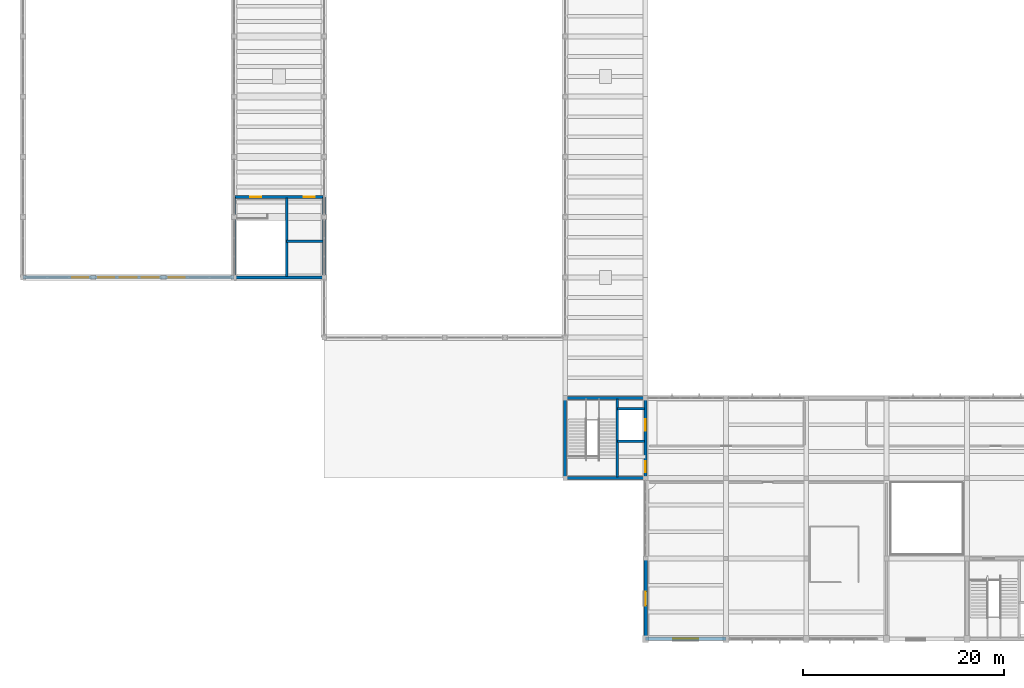
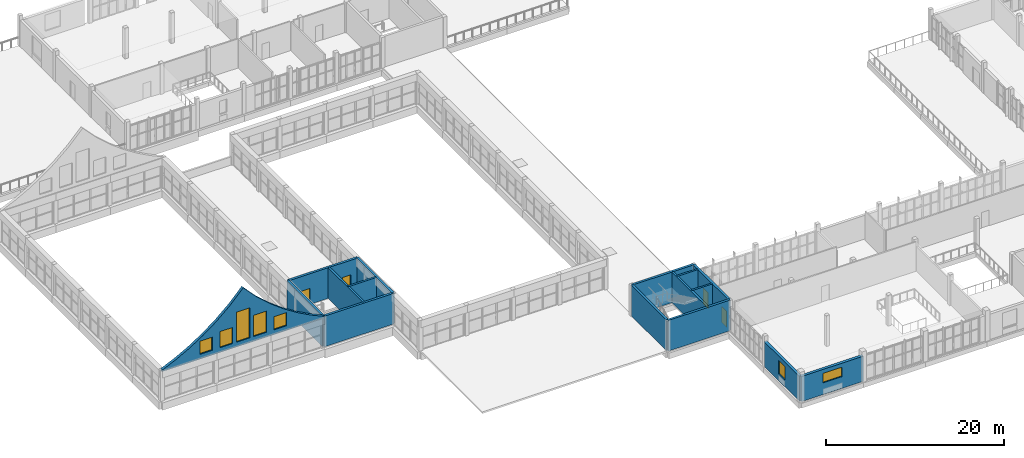
# One storey, part 52 of 70: 16 walls, 7 windows, 4 doors, 11 openings.
"""IFC4 building model written with IfcOpenShell, lengths in metres."""

import ifcopenshell
import ifcopenshell.guid

model = None  # the IFC model being written
_history = None  # IfcOwnerHistory: only IFC2X3 demands one
_inside = {}  # id of a spatial element -> (the spatial element, [elements in it])
_under = {}  # id of a project, library or spatial element -> (it, [spatial elements below it])
_declared = {}  # id of a project -> (the project, [libraries it declares])
_typed = {}  # id of a type object -> (the type object, [elements of that type])
_made_of = {}  # id of a material, layer set ... -> (it, [elements and type objects made of it])


def new_model(schema):
    """Start an empty IFC model of exactly this schema.

    Asked for "IFC4X3", IfcOpenShell would pick the latest addendum, in which some entities
    have other attributes; the version numbers below select the first issue.
    IFC2X3 requires an IfcOwnerHistory on every rooted entity: one is made here for all.
    """
    global model, _history
    if schema == "IFC4X3":
        model = ifcopenshell.file(schema_version=(4, 3, 0, 0))
    else:
        model = ifcopenshell.file(schema=schema)
    _inside.clear()
    _under.clear()
    _declared.clear()
    _typed.clear()
    _made_of.clear()
    _history = None
    if model.schema == "IFC2X3":
        org = make("IfcOrganization", Name="unknown")
        user = make(
            "IfcPersonAndOrganization",
            ThePerson=make("IfcPerson", FamilyName="unknown"),
            TheOrganization=org,
        )
        app = make(
            "IfcApplication",
            ApplicationDeveloper=org,
            Version="unknown",
            ApplicationFullName="unknown",
            ApplicationIdentifier="unknown",
        )
        _history = make(
            "IfcOwnerHistory",
            OwningUser=user,
            OwningApplication=app,
            ChangeAction="ADDED",
            CreationDate=0,
        )
    return model


def make(cls, **values):
    """One entity of the class cls with the attributes given. An attribute that is None is left unset."""
    return model.create_entity(
        cls, **{name: value for name, value in values.items() if value is not None}
    )


def rooted(cls, **values):
    """An entity with a GlobalId (a new one), such as an element, a storey or a relation."""
    return make(cls, GlobalId=ifcopenshell.guid.new(), OwnerHistory=_history, **values)


def si_unit(unit_type, name, prefix=None):
    """IfcSIUnit, for example si_unit("LENGTHUNIT", "METRE", prefix="MILLI")."""
    return make("IfcSIUnit", UnitType=unit_type, Prefix=prefix, Name=name)


def assignment(units):
    """IfcUnitAssignment: the units of a project."""
    return None if units is None else make("IfcUnitAssignment", Units=units)


def point(xyz):
    """IfcCartesianPoint."""
    return None if xyz is None else make("IfcCartesianPoint", Coordinates=xyz)


def direction(xyz):
    """IfcDirection."""
    return None if xyz is None else make("IfcDirection", DirectionRatios=xyz)


def frame(location, z_axis=None, x_axis=None):
    """IfcAxis2Placement3D, a coordinate frame: its origin and axes. An axis left out is left unset."""
    return make(
        "IfcAxis2Placement3D",
        Location=point(location),
        Axis=direction(z_axis),
        RefDirection=direction(x_axis),
    )


def frame_2d(location, x_axis=None):
    """IfcAxis2Placement2D, a coordinate frame in the plane: its origin and x axis."""
    return make(
        "IfcAxis2Placement2D", Location=point(location), RefDirection=direction(x_axis)
    )


def origin():
    """The frame at (0, 0, 0) with its axes left unset."""
    return frame((0.0, 0.0, 0.0))


def place(relative_to, where):
    """IfcLocalPlacement: puts the frame where relative to a parent placement (None: the world)."""
    return make(
        "IfcLocalPlacement", PlacementRelTo=relative_to, RelativePlacement=where
    )


def context(
    kind, dimensions, precision=None, world=None, true_north=None, identifier=None
):
    """IfcGeometricRepresentationContext, for example the 3D "Model" context."""
    return make(
        "IfcGeometricRepresentationContext",
        ContextIdentifier=identifier,
        ContextType=kind,
        CoordinateSpaceDimension=dimensions,
        Precision=precision,
        WorldCoordinateSystem=world,
        TrueNorth=true_north,
    )


def subcontext(parent, identifier, kind, view, scale=None):
    """IfcGeometricRepresentationSubContext, for example "Body" below "Model"."""
    return make(
        "IfcGeometricRepresentationSubContext",
        ContextIdentifier=identifier,
        ContextType=kind,
        ParentContext=parent,
        TargetScale=scale,
        TargetView=view,
    )


def project(units=None, contexts=None):
    """IfcProject with its units and contexts."""
    return rooted(
        "IfcProject",
        Name="project",
        RepresentationContexts=contexts,
        UnitsInContext=assignment(units),
    )


def spatial(cls, under=None, at=None, **own):
    """A site, building, storey or space (cls), placed at a placement, below another one or the project."""
    s = rooted(cls, ObjectPlacement=at, **own)
    if under is not None:
        _under.setdefault(under.id(), (under, []))[1].append(s)
    return s


def polyline(points):
    """IfcPolyline through the points."""
    return make("IfcPolyline", Points=[point(p) for p in points])


def profile(cls, at=None, kind="AREA", **sizes):
    """A parametric profile (cls). Its sizes go by their IFC names, for example OverallWidth=200.0."""
    return make(cls, ProfileType=kind, Position=at, **sizes)


def rectangle(**sizes):
    """IfcRectangleProfileDef."""
    return profile("IfcRectangleProfileDef", **sizes)


def outline(outer, holes=None, kind="AREA"):
    """IfcArbitraryClosedProfileDef: a profile drawn as a closed curve; with holes, ...WithVoids."""
    if holes is None:
        return make("IfcArbitraryClosedProfileDef", ProfileType=kind, OuterCurve=outer)
    return make(
        "IfcArbitraryProfileDefWithVoids",
        ProfileType=kind,
        OuterCurve=outer,
        InnerCurves=holes,
    )


def extrude(swept, where, along, depth):
    """IfcExtrudedAreaSolid: the profile swept, set in the frame where, extruded along a direction by depth."""
    return make(
        "IfcExtrudedAreaSolid",
        SweptArea=swept,
        Position=where,
        ExtrudedDirection=direction(along),
        Depth=depth,
    )


def shape(context_of_items, identifier, shape_type, items):
    """IfcShapeRepresentation: the items that make up one representation, for example the "Body"."""
    return make(
        "IfcShapeRepresentation",
        ContextOfItems=context_of_items,
        RepresentationIdentifier=identifier,
        RepresentationType=shape_type,
        Items=items,
    )


def material(Name=None, Category=None):
    """IfcMaterial."""
    return make("IfcMaterial", Name=Name, Category=Category)


def layer(
    of_material, thickness, ventilated=None, Name=None, Category=None, Priority=None
):
    """IfcMaterialLayer: one layer of a wall or slab, of a material (None: an air gap)."""
    return make(
        "IfcMaterialLayer",
        Material=of_material,
        LayerThickness=thickness,
        IsVentilated=ventilated,
        Name=Name,
        Category=Category,
        Priority=Priority,
    )


def layer_set(layers, Name=None):
    """IfcMaterialLayerSet."""
    return make("IfcMaterialLayerSet", MaterialLayers=layers, LayerSetName=Name)


def made_of(thing, what):
    """Note that an element or type object is made of a material, layer set ...; save() writes the relation."""
    if what is not None:
        _made_of.setdefault(what.id(), (what, []))[1].append(thing)
    return thing


def type_object(cls, material=None, **own):
    """A type object (cls), such as IfcWallType, which elements share."""
    return made_of(rooted(cls, **own), material)


def element(
    cls,
    number,
    at=None,
    inside=None,
    cuts=None,
    type_object=None,
    material=None,
    context=None,
    identifier="Body",
    shape_type=None,
    held_by="IfcProductDefinitionShape",
    body=None,
    shapes=None,
    **own,
):
    """One element of the class cls, such as IfcWall. Its Tag is "e" and its number.

    at: its placement. inside: the storey or other place that contains it. cuts: it is an
    opening in that element (IfcRelVoidsElement). A single representation is given by context,
    identifier, shape_type and body (its items); several are given by shapes. held_by: the class
    of the entity that holds the representations. save() writes the other relations.
    """
    e = rooted(cls, Tag="e%d" % number, ObjectPlacement=at, **own)
    if body is not None:
        shapes = [shape(context, identifier, shape_type, body)]
    if shapes is not None:
        e.Representation = make(held_by, Representations=shapes)
    if inside is not None:
        _inside.setdefault(inside.id(), (inside, []))[1].append(e)
    if cuts is not None:
        rooted(
            "IfcRelVoidsElement", RelatingBuildingElement=cuts, RelatedOpeningElement=e
        )
    if type_object is not None:
        _typed.setdefault(type_object.id(), (type_object, []))[1].append(e)
    return made_of(e, material)


def fill(opening, filler):
    """IfcRelFillsElement: the door or window that sits in an opening."""
    return rooted(
        "IfcRelFillsElement",
        RelatingOpeningElement=opening,
        RelatedBuildingElement=filler,
    )


def aggregate(whole, parts):
    """IfcRelAggregates: a whole, such as a stair, and the parts it consists of."""
    return rooted("IfcRelAggregates", RelatingObject=whole, RelatedObjects=parts)


def save(model, path):
    """Write the relations noted so far, then the file.

    IfcRelAggregates (storeys below a building ...), IfcRelContainedInSpatialStructure (elements
    in a storey), IfcRelDefinesByType, IfcRelAssociatesMaterial and IfcRelDeclares: one each for
    every whole, place, type object, material and project.
    """
    for whole, parts in _under.values():
        aggregate(whole, parts)
    for where, things in _inside.values():
        rooted(
            "IfcRelContainedInSpatialStructure",
            RelatedElements=things,
            RelatingStructure=where,
        )
    for kind, things in _typed.values():
        rooted("IfcRelDefinesByType", RelatedObjects=things, RelatingType=kind)
    for what, things in _made_of.values():
        rooted("IfcRelAssociatesMaterial", RelatedObjects=things, RelatingMaterial=what)
    for by, libraries in _declared.values():
        rooted("IfcRelDeclares", RelatingContext=by, RelatedDefinitions=libraries)
    model.write(path)


model = new_model("IFC4")

# Units and contexts
model_context = context("Model", 3, precision=1e-05, world=origin(), true_north=direction((0.0, 1.0)))
body_context = subcontext(model_context, "Body", "Model", "MODEL_VIEW")
ifc_project = project(units=[si_unit("LENGTHUNIT", "METRE"), si_unit("AREAUNIT", "SQUARE_METRE"), si_unit("VOLUMEUNIT", "CUBIC_METRE"), si_unit("PLANEANGLEUNIT", "RADIAN"), si_unit("MASSUNIT", "GRAM", prefix="KILO")], contexts=[model_context])

# Site, building, storey
site_placement = place(None, origin())
site = spatial("IfcSite", under=ifc_project, at=site_placement, CompositionType="ELEMENT")
building_placement = place(site_placement, origin())
building = spatial("IfcBuilding", under=site, at=building_placement, Name="Solvane Community Centre", CompositionType="ELEMENT")
storey_placement = place(building_placement, frame((0.0, 0.0, 9.60009765625)))
storey = spatial("IfcBuildingStorey", under=building, at=storey_placement, Name="L02", CompositionType="ELEMENT", Elevation=9.60009765625)

# Wall, opening, window
ifc_material_1 = material(Name="Precast concrete C35/45", Category="concrete")
ifc_layer_1 = layer(ifc_material_1, 0.35009765625)
ifc_layer_set_1 = layer_set([ifc_layer_1], Name="Precast concrete C35/45")
wall_type_1 = type_object("IfcWallType", Name="Art Deco Limestone Cavity Wall 350mm [80x34dm]", PredefinedType="SOLIDWALL", material=ifc_layer_set_1)
wall_1_placement = place(storey_placement, frame((76.0, 6.0, 0.0), z_axis=(0.0, 0.0, 1.0), x_axis=(-1.0, 0.0, 0.0)))
wall_1 = element("IfcWall", 1, at=wall_1_placement, inside=storey, type_object=wall_type_1, Name="Exterior Wall WL-EXT-L02-0113", PredefinedType="SOLIDWALL", context=body_context, shape_type="SweptSolid", body=[
    extrude(rectangle(XDim=8.0, YDim=0.35009765625, at=frame_2d((4.0, 0.0))), origin(), (0.0, 0.0, 1.0), 3.44482421875),
])
opening_1_placement = place(wall_1_placement, frame((2.75, 0.0, 1.60009765625)))
opening_1 = element("IfcOpeningElement", 2, at=opening_1_placement, cuts=wall_1, Name="Opening WN16", PredefinedType="OPENING", context=body_context, shape_type="SweptSolid", body=[
    extrude(rectangle(XDim=2.5, YDim=1.300048828125, at=frame_2d((1.25, 0.64990234375))), frame((0.0, 0.18505859375, 0.0), z_axis=(0.0, -1.0, 0.0), x_axis=(1.0, 0.0, 0.0)), (0.0, 0.0, 1.0), 0.3701171875),
])
ifc_material_2 = material(Name="Tempered low-E double glazing", Category="glass")
window_type_1 = type_object("IfcWindowType", Name="Cloister Clerestory Window 2500x1300", PartitioningType="DOUBLE_PANEL_VERTICAL", PredefinedType="WINDOW", material=ifc_material_2)
window_1_placement = place(opening_1_placement, origin())
window_1 = element("IfcWindow", 3, at=window_1_placement, inside=storey, type_object=window_type_1, Name="L02-W052", OverallHeight=1.300048828125, OverallWidth=2.5, PartitioningType="DOUBLE_PANEL_VERTICAL", PredefinedType="WINDOW", context=body_context, shape_type="SweptSolid", body=[
    extrude(rectangle(XDim=2.5, YDim=1.300048828125, at=frame_2d((1.25, 0.64990234375))), frame((0.0, 0.030029296875, 0.0), z_axis=(0.0, -1.0, 0.0), x_axis=(1.0, 0.0, 0.0)), (0.0, 0.0, 1.0), 0.06005859375),
])
fill(opening_1, window_1)

wall_2_placement = place(storey_placement, frame((68.0, 6.0, 0.0), z_axis=(0.0, 0.0, 1.0), x_axis=(0.0, 1.0, 0.0)))
wall_2 = element("IfcWall", 4, at=wall_2_placement, inside=storey, type_object=wall_type_1, Name="Exterior Wall WL-EXT-L02-0114", PredefinedType="SOLIDWALL", context=body_context, shape_type="SweptSolid", body=[
    extrude(rectangle(XDim=8.0, YDim=0.35009765625, at=frame_2d((4.0, 0.0))), origin(), (0.0, 0.0, 1.0), 3.364990234375),
])
opening_2_placement = place(wall_2_placement, frame((3.300048828125, 0.0, 0.949951171875)))
opening_2 = element("IfcOpeningElement", 5, at=opening_2_placement, cuts=wall_2, Name="Opening WN05", PredefinedType="OPENING", context=body_context, shape_type="SweptSolid", body=[
    extrude(rectangle(XDim=1.39990234375, YDim=1.800048828125, at=frame_2d((0.699951171875, 0.89990234375))), frame((0.0, 0.18505859375, 0.0), z_axis=(0.0, -1.0, 0.0), x_axis=(1.0, 0.0, 0.0)), (0.0, 0.0, 1.0), 0.3701171875),
])
window_type_2 = type_object("IfcWindowType", Name="Studio Deep-Reveal Window 1400x1800", PartitioningType="SINGLE_PANEL", PredefinedType="WINDOW", material=ifc_material_2)
window_2_placement = place(opening_2_placement, origin())
window_2 = element("IfcWindow", 6, at=window_2_placement, inside=storey, type_object=window_type_2, Name="L02-W053", OverallHeight=1.800048828125, OverallWidth=1.39990234375, PartitioningType="SINGLE_PANEL", PredefinedType="WINDOW", context=body_context, shape_type="SweptSolid", body=[
    extrude(rectangle(XDim=1.39990234375, YDim=1.800048828125, at=frame_2d((0.699951171875, 0.89990234375))), frame((0.0, 0.030029296875, 0.0), z_axis=(0.0, -1.0, 0.0), x_axis=(1.0, 0.0, 0.0)), (0.0, 0.0, 1.0), 0.06005859375),
])
fill(opening_2, window_2)

# Wall, openings, windows
ifc_layer_2 = layer(ifc_material_1, 0.360107421875)
ifc_layer_set_2 = layer_set([ifc_layer_2], Name="Precast concrete C35/45")
wall_type_2 = type_object("IfcWallType", Name="Peaked Hall Gable Translucent-Frame Wall 360mm", PredefinedType="SOLIDWALL", material=ifc_layer_set_2)
wall_3_placement = place(storey_placement, frame((27.0, 42.0, 3.97998046875), z_axis=(0.0, 0.0, 1.0), x_axis=(-1.0, 0.0, 0.0)))
wall_3 = element("IfcWall", 7, at=wall_3_placement, inside=storey, type_object=wall_type_2, Name="Exterior Wall WL-EXT-L02-0104", PredefinedType="SOLIDWALL", context=body_context, shape_type="SweptSolid", body=[
    extrude(outline(polyline([(0.0, 0.0), (21.0, 0.0), (21.0, 0.219970703125), (19.25, 1.016845703125), (17.5, 1.966552734375), (15.75, 3.087890625), (14.0, 4.40771484375), (12.25, 5.96484375), (10.5, 7.81982421875), (8.75, 5.96484375), (7.0, 4.40771484375), (5.25, 3.087890625), (3.5, 1.966552734375), (1.75, 1.016845703125), (0.0, 0.219970703125), (0.0, 0.0)])), frame((0.0, 0.18017578125, 0.0), z_axis=(0.0, -1.0, 0.0), x_axis=(1.0, 0.0, 0.0)), (0.0, 0.0, 1.0), 0.360107421875),
])
opening_3_placement = place(wall_3_placement, frame((4.89990234375, 0.0, 0.669921875)))
opening_3 = element("IfcOpeningElement", 8, at=opening_3_placement, cuts=wall_3, Name="Opening WN05", PredefinedType="OPENING", context=body_context, shape_type="SweptSolid", body=[
    extrude(rectangle(XDim=1.60009765625, YDim=1.800048828125, at=frame_2d((0.800048828125, 0.89990234375))), frame((0.0, 0.18994140625, 0.0), z_axis=(0.0, -1.0, 0.0), x_axis=(1.0, 0.0, 0.0)), (0.0, 0.0, 1.0), 0.380126953125),
])
opening_4_placement = place(wall_3_placement, frame((7.5, 0.0, 0.669921875)))
opening_4 = element("IfcOpeningElement", 9, at=opening_4_placement, cuts=wall_3, Name="Opening WN19", PredefinedType="OPENING", context=body_context, shape_type="SweptSolid", body=[
    extrude(rectangle(XDim=1.64990234375, YDim=2.89990234375, at=frame_2d((0.824951171875, 1.449951171875))), frame((0.0, 0.18994140625, 0.0), z_axis=(0.0, -1.0, 0.0), x_axis=(1.0, 0.0, 0.0)), (0.0, 0.0, 1.0), 0.380126953125),
])
opening_5_placement = place(wall_3_placement, frame((9.64990234375, 0.0, 0.669921875)))
opening_5 = element("IfcOpeningElement", 10, at=opening_5_placement, cuts=wall_3, Name="Opening WN18", PredefinedType="OPENING", context=body_context, shape_type="SweptSolid", body=[
    extrude(rectangle(XDim=1.699951171875, YDim=4.10009765625, at=frame_2d((0.85009765625, 2.050048828125))), frame((0.0, 0.18994140625, 0.0), z_axis=(0.0, -1.0, 0.0), x_axis=(1.0, 0.0, 0.0)), (0.0, 0.0, 1.0), 0.380126953125),
])
opening_6_placement = place(wall_3_placement, frame((11.89990234375, 0.0, 0.669921875)))
opening_6 = element("IfcOpeningElement", 11, at=opening_6_placement, cuts=wall_3, Name="Opening WN09", PredefinedType="OPENING", context=body_context, shape_type="SweptSolid", body=[
    extrude(rectangle(XDim=1.60009765625, YDim=2.199951171875, at=frame_2d((0.800048828125, 1.10009765625))), frame((0.0, 0.18994140625, 0.0), z_axis=(0.0, -1.0, 0.0), x_axis=(1.0, 0.0, 0.0)), (0.0, 0.0, 1.0), 0.380126953125),
])
opening_7_placement = place(wall_3_placement, frame((14.5, 0.0, 0.669921875)))
opening_7 = element("IfcOpeningElement", 12, at=opening_7_placement, cuts=wall_3, Name="Opening WN05", PredefinedType="OPENING", context=body_context, shape_type="SweptSolid", body=[
    extrude(rectangle(XDim=1.60009765625, YDim=1.800048828125, at=frame_2d((0.800048828125, 0.89990234375))), frame((0.0, 0.18994140625, 0.0), z_axis=(0.0, -1.0, 0.0), x_axis=(1.0, 0.0, 0.0)), (0.0, 0.0, 1.0), 0.380126953125),
])
ifc_material_3 = material(Name="Translucent channel glass", Category="glass")
window_type_3 = type_object("IfcWindowType", Name="Gable Channel-Glass Eave Lancet 1600x2200", PartitioningType="SINGLE_PANEL", PredefinedType="WINDOW", material=ifc_material_3)
window_3_placement = place(opening_6_placement, origin())
window_3 = element("IfcWindow", 13, at=window_3_placement, inside=storey, type_object=window_type_3, Name="L02-W042", OverallHeight=2.199951171875, OverallWidth=1.60009765625, PartitioningType="SINGLE_PANEL", PredefinedType="WINDOW", context=body_context, shape_type="SweptSolid", body=[
    extrude(rectangle(XDim=1.60009765625, YDim=2.199951171875, at=frame_2d((0.800048828125, 1.10009765625))), frame((0.0, 0.030029296875, 0.0), z_axis=(0.0, -1.0, 0.0), x_axis=(1.0, 0.0, 0.0)), (0.0, 0.0, 1.0), 0.06005859375),
])
fill(opening_6, window_3)
window_type_4 = type_object("IfcWindowType", Name="Sports Gable Mid Lancet 1650x2900", PartitioningType="DOUBLE_PANEL_VERTICAL", PredefinedType="WINDOW", material=ifc_material_3)
window_4_placement = place(opening_4_placement, origin())
window_4 = element("IfcWindow", 14, at=window_4_placement, inside=storey, type_object=window_type_4, Name="L02-W040", OverallHeight=2.89990234375, OverallWidth=1.64990234375, PartitioningType="DOUBLE_PANEL_VERTICAL", PredefinedType="WINDOW", context=body_context, shape_type="SweptSolid", body=[
    extrude(rectangle(XDim=1.64990234375, YDim=2.89990234375, at=frame_2d((0.824951171875, 1.449951171875))), frame((0.0, 0.030029296875, 0.0), z_axis=(0.0, -1.0, 0.0), x_axis=(1.0, 0.0, 0.0)), (0.0, 0.0, 1.0), 0.06005859375),
])
fill(opening_4, window_4)
window_type_5 = type_object("IfcWindowType", Name="Sports Gable Peak Lancet 1700x4100", PartitioningType="TRIPLE_PANEL_VERTICAL", PredefinedType="WINDOW", material=ifc_material_3)
window_5_placement = place(opening_5_placement, origin())
window_5 = element("IfcWindow", 15, at=window_5_placement, inside=storey, type_object=window_type_5, Name="L02-W041", OverallHeight=4.10009765625, OverallWidth=1.699951171875, PartitioningType="TRIPLE_PANEL_VERTICAL", PredefinedType="WINDOW", context=body_context, shape_type="SweptSolid", body=[
    extrude(rectangle(XDim=1.699951171875, YDim=4.10009765625, at=frame_2d((0.85009765625, 2.050048828125))), frame((0.0, 0.030029296875, 0.0), z_axis=(0.0, -1.0, 0.0), x_axis=(1.0, 0.0, 0.0)), (0.0, 0.0, 1.0), 0.06005859375),
])
fill(opening_5, window_5)
window_6_placement = place(opening_3_placement, origin())
window_6 = element("IfcWindow", 16, at=window_6_placement, inside=storey, type_object=window_type_2, Name="L02-W039", OverallHeight=1.800048828125, OverallWidth=1.60009765625, PartitioningType="SINGLE_PANEL", PredefinedType="WINDOW", context=body_context, shape_type="SweptSolid", body=[
    extrude(rectangle(XDim=1.60009765625, YDim=1.800048828125, at=frame_2d((0.800048828125, 0.89990234375))), frame((0.0, 0.030029296875, 0.0), z_axis=(0.0, -1.0, 0.0), x_axis=(1.0, 0.0, 0.0)), (0.0, 0.0, 1.0), 0.06005859375),
])
fill(opening_3, window_6)
window_7_placement = place(opening_7_placement, origin())
window_7 = element("IfcWindow", 17, at=window_7_placement, inside=storey, type_object=window_type_2, Name="L02-W043", OverallHeight=1.800048828125, OverallWidth=1.60009765625, PartitioningType="SINGLE_PANEL", PredefinedType="WINDOW", context=body_context, shape_type="SweptSolid", body=[
    extrude(rectangle(XDim=1.60009765625, YDim=1.800048828125, at=frame_2d((0.800048828125, 0.89990234375))), frame((0.0, 0.030029296875, 0.0), z_axis=(0.0, -1.0, 0.0), x_axis=(1.0, 0.0, 0.0)), (0.0, 0.0, 1.0), 0.06005859375),
])
fill(opening_7, window_7)

# Wall, openings, doors
ifc_material_4 = material(Name="Concrete C35/45", Category="concrete")
ifc_layer_3 = layer(ifc_material_4, 0.300048828125)
ifc_layer_set_3 = layer_set([ifc_layer_3], Name="Concrete C35/45")
wall_type_3 = type_object("IfcWallType", Name="RC Core Shear Wall 300mm [80x42dm]", PredefinedType="SHEAR", material=ifc_layer_set_3)
wall_4_placement = place(storey_placement, frame((68.0, 30.0, 0.0), z_axis=(0.0, 0.0, 1.0), x_axis=(0.0, -1.0, 0.0)))
wall_4 = element("IfcWall", 18, at=wall_4_placement, inside=storey, type_object=wall_type_3, Name="Interior Wall WL-INT-L02-0013", PredefinedType="SHEAR", context=body_context, shape_type="SweptSolid", body=[
    extrude(rectangle(XDim=8.0, YDim=0.300048828125, at=frame_2d((4.0, 0.0))), origin(), (0.0, 0.0, 1.0), 4.199951171875),
])
opening_8_placement = place(wall_4_placement, frame((6.300048828125, 0.0, 0.0)))
opening_8 = element("IfcOpeningElement", 19, at=opening_8_placement, cuts=wall_4, Name="Opening SD02", PredefinedType="OPENING", context=body_context, shape_type="SweptSolid", body=[
    extrude(rectangle(XDim=1.10009765625, YDim=2.199951171875, at=frame_2d((0.550048828125, 1.10009765625))), frame((0.0, 0.159912109375, 0.0), z_axis=(0.0, -1.0, 0.0), x_axis=(1.0, 0.0, 0.0)), (0.0, 0.0, 1.0), 0.320068359375),
])
opening_9_placement = place(wall_4_placement, frame((2.14990234375, 0.0, 0.0)))
opening_9 = element("IfcOpeningElement", 20, at=opening_9_placement, cuts=wall_4, Name="Opening LD01", PredefinedType="OPENING", context=body_context, shape_type="SweptSolid", body=[
    extrude(rectangle(XDim=1.10009765625, YDim=2.199951171875, at=frame_2d((0.550048828125, 1.10009765625))), frame((0.0, 0.159912109375, 0.0), z_axis=(0.0, -1.0, 0.0), x_axis=(1.0, 0.0, 0.0)), (0.0, 0.0, 1.0), 0.320068359375),
])
ifc_material_5 = material(Name="Anodised bronze aluminium AW-6063 T6", Category="aluminium")
door_type_1 = type_object("IfcDoorType", Name="Core Stair Fire Door 1100x2200", OperationType="NOTDEFINED", PredefinedType="DOOR", material=ifc_material_5)
door_1_placement = place(opening_8_placement, origin())
door_1 = element("IfcDoor", 21, at=door_1_placement, inside=storey, type_object=door_type_1, Name="L02-D005", OperationType="SINGLE_SWING_LEFT", OverallHeight=2.199951171875, OverallWidth=1.10009765625, PredefinedType="DOOR", context=body_context, shape_type="SweptSolid", body=[
    extrude(rectangle(XDim=1.10009765625, YDim=2.199951171875, at=frame_2d((0.550048828125, 1.10009765625))), frame((0.0, 0.02490234375, 0.0), z_axis=(0.0, -1.0, 0.0), x_axis=(1.0, 0.0, 0.0)), (0.0, 0.0, 1.0), 0.050048828125),
])
fill(opening_8, door_1)
door_type_2 = type_object("IfcDoorType", Name="Lift Sliding Landing Door 1100x2200", OperationType="NOTDEFINED", PredefinedType="DOOR", material=ifc_material_5)
door_2_placement = place(opening_9_placement, origin())
door_2 = element("IfcDoor", 22, at=door_2_placement, inside=storey, type_object=door_type_2, Name="L02-D006", OperationType="SLIDING_TO_LEFT", OverallHeight=2.199951171875, OverallWidth=1.10009765625, PredefinedType="DOOR", context=body_context, shape_type="SweptSolid", body=[
    extrude(rectangle(XDim=1.10009765625, YDim=2.199951171875, at=frame_2d((0.550048828125, 1.10009765625))), frame((0.0, 0.02490234375, 0.0), z_axis=(0.0, -1.0, 0.0), x_axis=(1.0, 0.0, 0.0)), (0.0, 0.0, 1.0), 0.050048828125),
])
fill(opening_9, door_2)

# Walls
for number, where, z_axis, x_axis, name in (
    (23, (27.0, 42.0, 0.0), (0.0, 0.0, 1.0), (0.0, 1.0, 0.0), "Interior Wall WL-INT-L02-0100"),
    (24, (36.0, 50.0, 0.0), (0.0, 0.0, 1.0), (0.0, -1.0, 0.0), "Interior Wall WL-INT-L02-0102"),
):
    element("IfcWall", number, at=place(storey_placement, frame(where, z_axis=z_axis, x_axis=x_axis)), inside=storey, type_object=wall_type_3, Name=name, PredefinedType="SHEAR", context=body_context, shape_type="SweptSolid", body=[
        extrude(rectangle(XDim=8.0, YDim=0.300048828125, at=frame_2d((4.0, 0.0))), origin(), (0.0, 0.0, 1.0), 4.199951171875),
    ])
ifc_layer_4 = layer(ifc_material_4, 0.300048828125)
ifc_layer_set_4 = layer_set([ifc_layer_4], Name="Concrete C35/45")
wall_type_4 = type_object("IfcWallType", Name="RC Core Shear Wall 300mm [90x42dm]", PredefinedType="SHEAR", material=ifc_layer_set_4)
wall_5_placement = place(storey_placement, frame((36.0, 42.0, 0.0), z_axis=(0.0, 0.0, 1.0), x_axis=(-1.0, 0.0, 0.0)))
element("IfcWall", 25, at=wall_5_placement, inside=storey, type_object=wall_type_4, Name="Interior Wall WL-INT-L02-0099", PredefinedType="SHEAR", context=body_context, shape_type="SweptSolid", body=[
    extrude(rectangle(XDim=9.0, YDim=0.300048828125, at=frame_2d((4.5, 0.0))), origin(), (0.0, 0.0, 1.0), 4.199951171875),
])

# Wall, openings, doors
wall_6_placement = place(storey_placement, frame((27.0, 50.0, 0.0), z_axis=(0.0, 0.0, 1.0), x_axis=(1.0, 0.0, 0.0)))
wall_6 = element("IfcWall", 26, at=wall_6_placement, inside=storey, type_object=wall_type_4, Name="Interior Wall WL-INT-L02-0101", PredefinedType="SHEAR", context=body_context, shape_type="SweptSolid", body=[
    extrude(rectangle(XDim=9.0, YDim=0.300048828125, at=frame_2d((4.5, 0.0))), origin(), (0.0, 0.0, 1.0), 4.199951171875),
])
opening_10_placement = place(wall_6_placement, frame((1.64990234375, 0.0, 0.0)))
opening_10 = element("IfcOpeningElement", 27, at=opening_10_placement, cuts=wall_6, Name="Opening SD02", PredefinedType="OPENING", context=body_context, shape_type="SweptSolid", body=[
    extrude(rectangle(XDim=1.10009765625, YDim=2.199951171875, at=frame_2d((0.550048828125, 1.10009765625))), frame((0.0, 0.159912109375, 0.0), z_axis=(0.0, -1.0, 0.0), x_axis=(1.0, 0.0, 0.0)), (0.0, 0.0, 1.0), 0.320068359375),
])
opening_11_placement = place(wall_6_placement, frame((6.949951171875, 0.0, 0.0)))
opening_11 = element("IfcOpeningElement", 28, at=opening_11_placement, cuts=wall_6, Name="Opening LD01", PredefinedType="OPENING", context=body_context, shape_type="SweptSolid", body=[
    extrude(rectangle(XDim=1.10009765625, YDim=2.199951171875, at=frame_2d((0.550048828125, 1.10009765625))), frame((0.0, 0.159912109375, 0.0), z_axis=(0.0, -1.0, 0.0), x_axis=(1.0, 0.0, 0.0)), (0.0, 0.0, 1.0), 0.320068359375),
])
door_3_placement = place(opening_10_placement, origin())
door_3 = element("IfcDoor", 29, at=door_3_placement, inside=storey, type_object=door_type_1, Name="L02-D037", OperationType="SINGLE_SWING_LEFT", OverallHeight=2.199951171875, OverallWidth=1.10009765625, PredefinedType="DOOR", context=body_context, shape_type="SweptSolid", body=[
    extrude(rectangle(XDim=1.10009765625, YDim=2.199951171875, at=frame_2d((0.550048828125, 1.10009765625))), frame((0.0, 0.02490234375, 0.0), z_axis=(0.0, -1.0, 0.0), x_axis=(1.0, 0.0, 0.0)), (0.0, 0.0, 1.0), 0.050048828125),
])
fill(opening_10, door_3)
door_4_placement = place(opening_11_placement, origin())
door_4 = element("IfcDoor", 30, at=door_4_placement, inside=storey, type_object=door_type_2, Name="L02-D038", OperationType="SLIDING_TO_LEFT", OverallHeight=2.199951171875, OverallWidth=1.10009765625, PredefinedType="DOOR", context=body_context, shape_type="SweptSolid", body=[
    extrude(rectangle(XDim=1.10009765625, YDim=2.199951171875, at=frame_2d((0.550048828125, 1.10009765625))), frame((0.0, 0.02490234375, 0.0), z_axis=(0.0, -1.0, 0.0), x_axis=(1.0, 0.0, 0.0)), (0.0, 0.0, 1.0), 0.050048828125),
])
fill(opening_11, door_4)

# Walls
ifc_layer_5 = layer(ifc_material_4, 0.300048828125)
ifc_layer_set_5 = layer_set([ifc_layer_5], Name="Concrete C35/45")
wall_type_5 = type_object("IfcWallType", Name="RC Exterior Core Strip Wall 300mm [80x32dm]", PredefinedType="SOLIDWALL", material=ifc_layer_set_5)
for number, where, z_axis, x_axis, name in (
    (31, (68.0, 22.0, 0.0), (0.0, 0.0, 1.0), (-1.0, 0.0, 0.0), "Exterior Wall WL-EXT-L02-0115"),
    (32, (60.0, 30.0, 0.0), (0.0, 0.0, 1.0), (1.0, 0.0, 0.0), "Exterior Wall WL-EXT-L02-0117"),
):
    element("IfcWall", number, at=place(storey_placement, frame(where, z_axis=z_axis, x_axis=x_axis)), inside=storey, type_object=wall_type_5, Name=name, PredefinedType="SOLIDWALL", context=body_context, shape_type="SweptSolid", body=[
        extrude(rectangle(XDim=8.0, YDim=0.300048828125, at=frame_2d((4.0, 0.0))), origin(), (0.0, 0.0, 1.0), 4.199951171875),
    ])
ifc_layer_6 = layer(ifc_material_4, 0.300048828125)
ifc_layer_set_6 = layer_set([ifc_layer_6], Name="Concrete C35/45")
wall_type_6 = type_object("IfcWallType", Name="RC Exterior Core Strip Wall 300mm [80x34dm]", PredefinedType="SOLIDWALL", material=ifc_layer_set_6)
wall_7_placement = place(storey_placement, frame((60.0, 22.0, 0.0), z_axis=(0.0, 0.0, 1.0), x_axis=(0.0, 1.0, 0.0)))
element("IfcWall", 33, at=wall_7_placement, inside=storey, type_object=wall_type_6, Name="Exterior Wall WL-EXT-L02-0116", PredefinedType="SOLIDWALL", context=body_context, shape_type="SweptSolid", body=[
    extrude(rectangle(XDim=8.0, YDim=0.300048828125, at=frame_2d((4.0, 0.0))), origin(), (0.0, 0.0, 1.0), 4.199951171875),
])
ifc_layer_7 = layer(ifc_material_4, 0.25)
ifc_layer_set_7 = layer_set([ifc_layer_7], Name="Concrete C35/45")
wall_type_7 = type_object("IfcWallType", Name="RC Lift Shaft Wall 250mm [27x42dm]", PredefinedType="SHEAR", material=ifc_layer_set_7)
for number, where, z_axis, x_axis, name in (
    (34, (65.199951171875, 25.679931640625, 0.0), (0.0, 0.0, 1.0), (1.0, 0.0, 0.0), "Interior Wall WL-INT-L02-0015"),
    (35, (65.199951171875, 28.919921875, 0.0), (0.0, 0.0, 1.0), (1.0, 0.0, 0.0), "Interior Wall WL-INT-L02-0016"),
):
    element("IfcWall", number, at=place(storey_placement, frame(where, z_axis=z_axis, x_axis=x_axis)), inside=storey, type_object=wall_type_7, Name=name, PredefinedType="SHEAR", context=body_context, shape_type="SweptSolid", body=[
        extrude(rectangle(XDim=2.699951171875, YDim=0.25, at=frame_2d((1.35009765625, 0.0))), origin(), (0.0, 0.0, 1.0), 4.199951171875),
    ])
ifc_layer_8 = layer(ifc_material_4, 0.25)
ifc_layer_set_8 = layer_set([ifc_layer_8], Name="Concrete C35/45")
wall_type_8 = type_object("IfcWallType", Name="RC Lift Shaft Wall 250mm [36x42dm]", PredefinedType="SHEAR", material=ifc_layer_set_8)
wall_8_placement = place(storey_placement, frame((32.25, 45.6201171875, 0.0), z_axis=(0.0, 0.0, 1.0), x_axis=(1.0, 0.0, 0.0)))
element("IfcWall", 36, at=wall_8_placement, inside=storey, type_object=wall_type_8, Name="Interior Wall WL-INT-L02-0104", PredefinedType="SHEAR", context=body_context, shape_type="SweptSolid", body=[
    extrude(rectangle(XDim=3.64990234375, YDim=0.25, at=frame_2d((1.824951171875, 0.0))), origin(), (0.0, 0.0, 1.0), 4.199951171875),
])
ifc_layer_9 = layer(ifc_material_4, 0.25)
ifc_layer_set_9 = layer_set([ifc_layer_9], Name="Concrete C35/45")
wall_type_9 = type_object("IfcWallType", Name="RC Lift Shaft Wall 250mm [78x42dm]", PredefinedType="SHEAR", material=ifc_layer_set_9)
for number, where, z_axis, x_axis, name in (
    (37, (65.199951171875, 22.10009765625, 0.0), (0.0, 0.0, 1.0), (0.0, 1.0, 0.0), "Interior Wall WL-INT-L02-0014"),
    (38, (32.25, 42.10009765625, 0.0), (0.0, 0.0, 1.0), (0.0, 1.0, 0.0), "Interior Wall WL-INT-L02-0103"),
):
    element("IfcWall", number, at=place(storey_placement, frame(where, z_axis=z_axis, x_axis=x_axis)), inside=storey, type_object=wall_type_9, Name=name, PredefinedType="SHEAR", context=body_context, shape_type="SweptSolid", body=[
        extrude(rectangle(XDim=7.7998046875, YDim=0.25, at=frame_2d((3.89990234375, 0.0))), origin(), (0.0, 0.0, 1.0), 4.199951171875),
    ])

save(model, "model.ifc")
